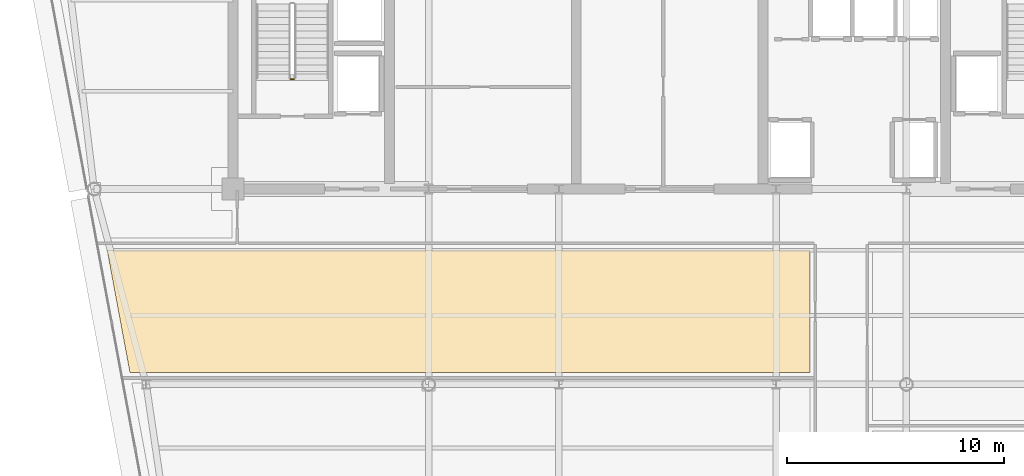
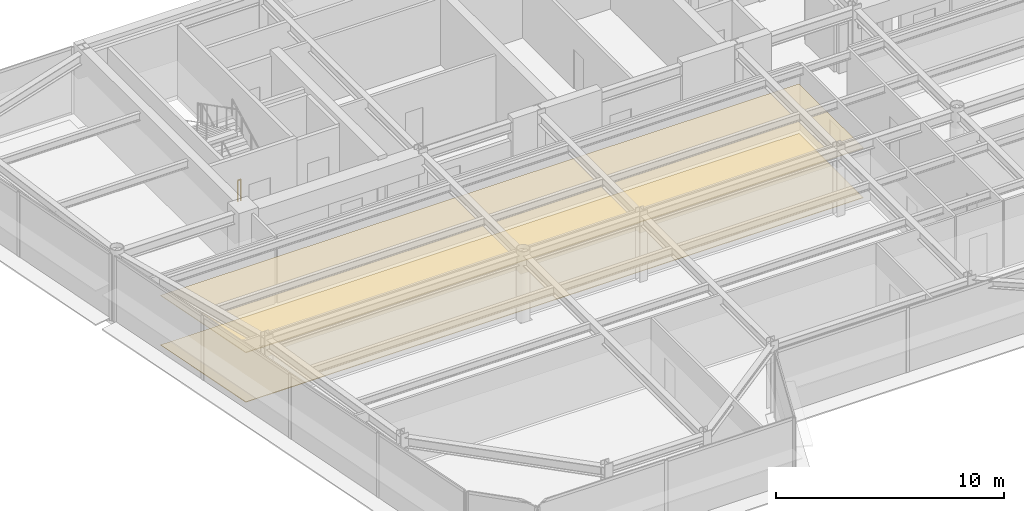
# One storey, part 13 of 18: 2 coverings, 1 railing.
"""IFC4 building model written with IfcOpenShell, lengths in metres."""

from ifc_helpers import new_model, si_unit, direction, frame, origin, origin_2d, place, context, subcontext, project, spatial, polyline, circle, outline, extrude, material, layer, layer_set, type_object, element, save


model = new_model("IFC4")

# Units and contexts
model_context = context("Model", 3, precision=1e-05, world=origin(), true_north=direction((0.0, 1.0)))
body_context = subcontext(model_context, "Body", "Model", "MODEL_VIEW")
ifc_project = project(units=[si_unit("LENGTHUNIT", "METRE"), si_unit("AREAUNIT", "SQUARE_METRE"), si_unit("VOLUMEUNIT", "CUBIC_METRE"), si_unit("PLANEANGLEUNIT", "RADIAN"), si_unit("MASSUNIT", "GRAM", prefix="KILO")], contexts=[model_context])

# Site, building, storey
site_placement = place(None, origin())
site = spatial("IfcSite", under=ifc_project, at=site_placement, CompositionType="ELEMENT")
building_placement = place(site_placement, origin())
building = spatial("IfcBuilding", under=site, at=building_placement, Name="Vaeldorn Concourse Tower", CompositionType="ELEMENT")
storey_placement = place(building_placement, frame((0.0, 0.0, 253.60009765625)))
storey = spatial("IfcBuildingStorey", under=building, at=storey_placement, Name="L65", CompositionType="ELEMENT", Elevation=253.60009765625)

# Coverings
ifc_material_1 = material(Name="Acoustic Mineral Fibre Board", Category="gypsum")
ifc_layer_1 = layer(ifc_material_1, 0.0400390625)
ifc_layer_set_1 = layer_set([ifc_layer_1], Name="Acoustic Mineral Fibre Board")
covering_type_1 = type_object("IfcCoveringType", Name="COV-CEIL-ACOUSTIC", PredefinedType="CEILING", material=ifc_layer_set_1)
covering_1_placement = place(storey_placement, frame((0.0, 0.0, 2.64990234375)))
element("IfcCovering", 1, at=covering_1_placement, inside=storey, type_object=covering_type_1, Name="Suspended Acoustic Ceiling L65-6", PredefinedType="CEILING", context=body_context, shape_type="SweptSolid", body=[
    extrude(outline(polyline([(40.56005859375, 33.699951171875), (40.56005859375, 28.0400390625), (9.25390625, 28.0400390625), (8.199951171875, 33.699951171875), (40.56005859375, 33.699951171875)])), origin(), (0.0, 0.0, 1.0), 0.0400390625),
])
ifc_material_2 = material(Name="Honed Limestone Terrazzo Flooring", Category="masonry")
ifc_layer_2 = layer(ifc_material_2, 0.0400390625)
ifc_layer_set_2 = layer_set([ifc_layer_2], Name="Honed Limestone Terrazzo Flooring")
covering_type_2 = type_object("IfcCoveringType", Name="COV-FLOOR-STONE", PredefinedType="FLOORING", material=ifc_layer_set_2)
covering_2_placement = place(storey_placement, origin())
element("IfcCovering", 2, at=covering_2_placement, inside=storey, type_object=covering_type_2, Name="Floor Finish Covering L65-6", PredefinedType="FLOORING", context=body_context, shape_type="SweptSolid", body=[
    extrude(outline(polyline([(40.56005859375, 33.699951171875), (40.56005859375, 28.0400390625), (9.25390625, 28.0400390625), (8.199951171875, 33.699951171875), (40.56005859375, 33.699951171875)])), origin(), (0.0, 0.0, 1.0), 0.02978515625),
])

# Railing
ifc_material_3 = material(Name="Anodised Bronze Aluminium", Category="aluminium")
railing_type = type_object("IfcRailingType", Name="RL-STAIR-GUARD", PredefinedType="GUARDRAIL", material=ifc_material_3)
railing_placement = place(storey_placement, frame((16.800048828125, 41.550048828125, 0.0)))
element("IfcRailing", 3, at=railing_placement, inside=storey, type_object=railing_type, Name="L65 ST-1 stair guard 4", PredefinedType="GUARDRAIL", context=body_context, shape_type="SweptSolid", body=[
    extrude(circle(Radius=0.02392578125, at=origin_2d()), frame((0.0, 0.0, 1.1259765625), z_axis=(-1.0, 0.0, 0.0), x_axis=(0.0, -1.0, 0.0)), (0.0, 0.0, 1.0), 0.150146484375),
    extrude(circle(Radius=0.02099609375, at=origin_2d()), origin(), (0.0, 0.0, 1.0), 1.101806640625),
    extrude(circle(Radius=0.02099609375, at=origin_2d()), frame((-0.150146484375, 0.0, 0.0)), (0.0, 0.0, 1.0), 1.101806640625),
])

save(model, "model.ifc")
